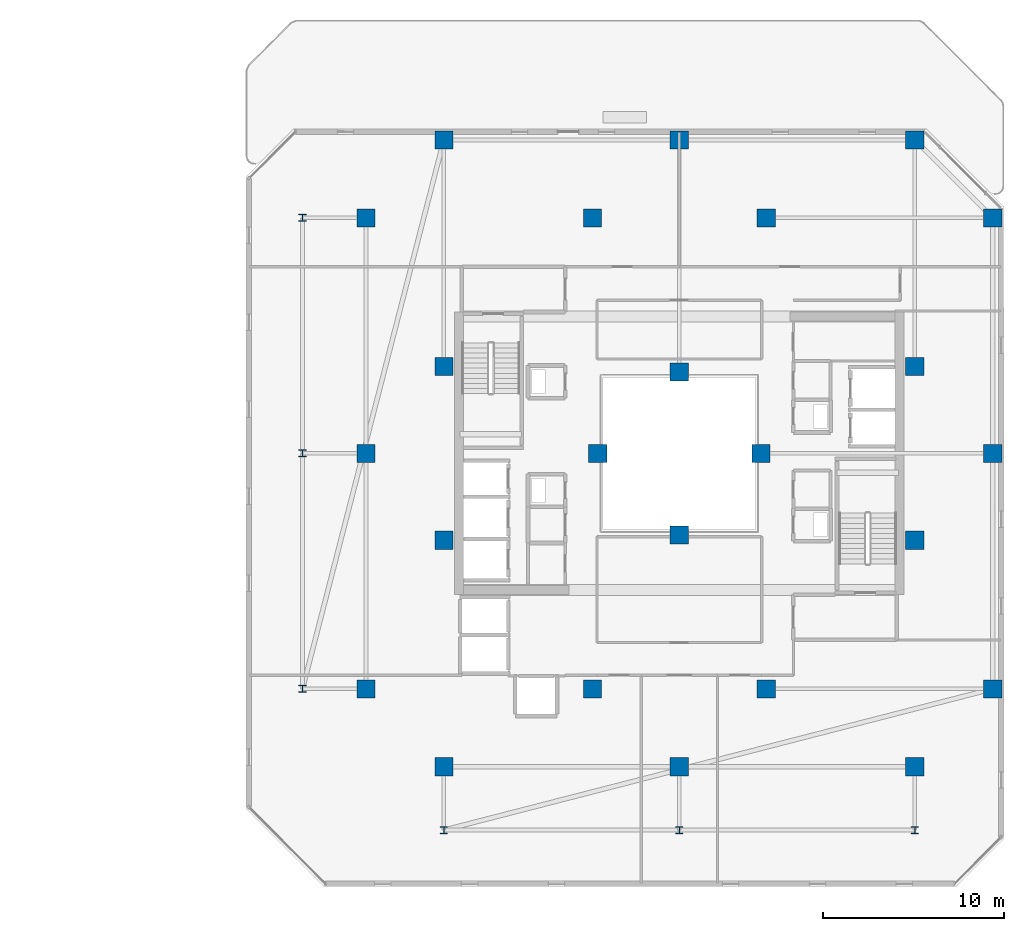
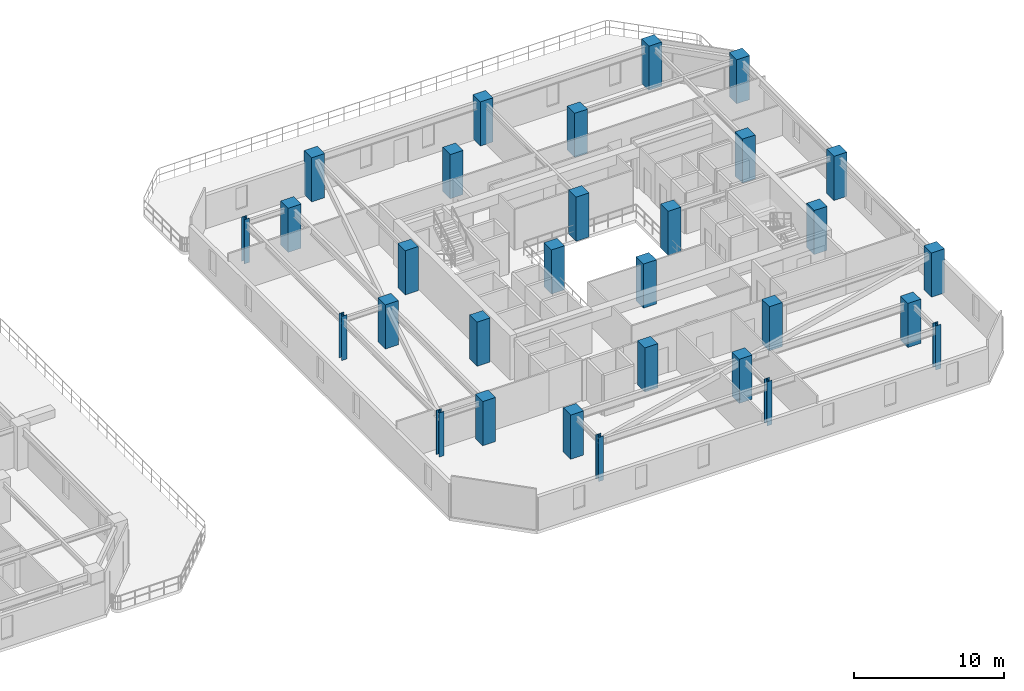
# One storey, part 2 of 32: 30 columns.
"""IFC4 building model written with IfcOpenShell, lengths in metres."""

from ifc_helpers import new_model, si_unit, direction, frame, origin, origin_2d, place, context, subcontext, project, spatial, rectangle, i_section, extrude, material, material_profile, profile_set, type_object, element, save


model = new_model("IFC4")

# Units and contexts
model_context = context("Model", 3, precision=1e-05, world=origin(), true_north=direction((0.0, 1.0)))
body_context = subcontext(model_context, "Body", "Model", "MODEL_VIEW")
ifc_project = project(units=[si_unit("LENGTHUNIT", "METRE"), si_unit("AREAUNIT", "SQUARE_METRE"), si_unit("VOLUMEUNIT", "CUBIC_METRE"), si_unit("PLANEANGLEUNIT", "RADIAN"), si_unit("MASSUNIT", "GRAM", prefix="KILO")], contexts=[model_context])

# Site, building, storey
site_placement = place(None, origin())
site = spatial("IfcSite", under=ifc_project, at=site_placement, CompositionType="ELEMENT")
building_placement = place(site_placement, origin())
building = spatial("IfcBuilding", under=site, at=building_placement, Name="Thornwick Lancets Civic Towers", CompositionType="ELEMENT")
storey_placement = place(building_placement, frame((0.0, 0.0, 200.10009765625)))
storey = spatial("IfcBuildingStorey", under=building, at=storey_placement, Name="L53", CompositionType="ELEMENT", Elevation=200.10009765625)

# Columns
ifc_material_1 = material(Name="Concrete C50/60", Category="concrete")
ifc_material_profile_1 = material_profile(ifc_material_1, rectangle(XDim=1.0, YDim=1.0, at=origin_2d()), Name="RC 1000x1000")
ifc_profile_set_1 = profile_set([ifc_material_profile_1], Name="Concrete C50/60")
column_type_1 = type_object("IfcColumnType", Name="COL_RC_1000", PredefinedType="COLUMN", material=ifc_profile_set_1)
for number, where, z_axis, x_axis, name in (
    (1, (105.800048828125, 14.0, 0.0), (0.0, 0.0, 1.0), (1.0, 0.0, 0.0), "L53 Spine Mega-Column B01"),
    (2, (105.800048828125, 27.0, 0.0), (0.0, 0.0, 1.0), (1.0, 0.0, 0.0), "L53 Spine Mega-Column B02"),
    (3, (105.800048828125, 40.0, 0.0), (0.0, 0.0, 1.0), (1.0, 0.0, 0.0), "L53 Spine Mega-Column B03"),
    (4, (101.5, 44.300048828125, 0.0), (0.0, 0.0, 1.0), (1.0, 0.0, 0.0), "L53 Spine Mega-Column B04"),
    (5, (88.5, 44.300048828125, 0.0), (0.0, 0.0, 1.0), (1.0, 0.0, 0.0), "L53 Spine Mega-Column B05"),
    (6, (75.5, 44.300048828125, 0.0), (0.0, 0.0, 1.0), (1.0, 0.0, 0.0), "L53 Spine Mega-Column B06"),
    (7, (71.199951171875, 14.0, 0.0), (0.0, 0.0, 1.0), (1.0, 0.0, 0.0), "L53 Spine Mega-Column B07"),
    (8, (71.199951171875, 27.0, 0.0), (0.0, 0.0, 1.0), (1.0, 0.0, 0.0), "L53 Spine Mega-Column B08"),
    (9, (71.199951171875, 40.0, 0.0), (0.0, 0.0, 1.0), (1.0, 0.0, 0.0), "L53 Spine Mega-Column B09"),
    (10, (101.5, 9.699951171875, 0.0), (0.0, 0.0, 1.0), (1.0, 0.0, 0.0), "L53 Spine Mega-Column B10"),
    (11, (88.5, 9.699951171875, 0.0), (0.0, 0.0, 1.0), (1.0, 0.0, 0.0), "L53 Spine Mega-Column B11"),
    (12, (75.5, 9.699951171875, 0.0), (0.0, 0.0, 1.0), (1.0, 0.0, 0.0), "L53 Spine Mega-Column B12"),
    (13, (93.300048828125, 14.0, 0.0), (0.0, 0.0, 1.0), (1.0, 0.0, 0.0), "L53 Spine Mega-Column B13"),
    (14, (93.300048828125, 40.0, 0.0), (0.0, 0.0, 1.0), (1.0, 0.0, 0.0), "L53 Spine Mega-Column B14"),
    (15, (83.699951171875, 14.0, 0.0), (0.0, 0.0, 1.0), (1.0, 0.0, 0.0), "L53 Spine Mega-Column B15"),
    (16, (83.699951171875, 40.0, 0.0), (0.0, 0.0, 1.0), (1.0, 0.0, 0.0), "L53 Spine Mega-Column B16"),
    (17, (101.5, 22.199951171875, 0.0), (0.0, 0.0, 1.0), (1.0, 0.0, 0.0), "L53 Spine Mega-Column B17"),
    (18, (101.5, 31.800048828125, 0.0), (0.0, 0.0, 1.0), (1.0, 0.0, 0.0), "L53 Spine Mega-Column B18"),
    (19, (75.5, 22.199951171875, 0.0), (0.0, 0.0, 1.0), (1.0, 0.0, 0.0), "L53 Spine Mega-Column B19"),
    (20, (75.5, 31.800048828125, 0.0), (0.0, 0.0, 1.0), (1.0, 0.0, 0.0), "L53 Spine Mega-Column B20"),
    (21, (93.0, 27.0, 0.0), (0.0, 0.0, 1.0), (1.0, 0.0, 0.0), "L53 Spine Mega-Column B21"),
    (22, (84.0, 27.0, 0.0), (0.0, 0.0, 1.0), (1.0, 0.0, 0.0), "L53 Spine Mega-Column B22"),
    (23, (88.5, 22.5, 0.0), (0.0, 0.0, 1.0), (1.0, 0.0, 0.0), "L53 Spine Mega-Column B23"),
    (24, (88.5, 31.5, 0.0), (0.0, 0.0, 1.0), (1.0, 0.0, 0.0), "L53 Spine Mega-Column B24"),
):
    element("IfcColumn", number, at=place(storey_placement, frame(where, z_axis=z_axis, x_axis=x_axis)), inside=storey, type_object=column_type_1, Name=name, PredefinedType="COLUMN", context=body_context, shape_type="SweptSolid", body=[
        extrude(rectangle(XDim=1.0, YDim=1.0, at=origin_2d()), origin(), (0.0, 0.0, 1.0), 3.599853515625),
    ])
ifc_material_2 = material(Name="Steel S355JR", Category="steel")
ifc_material_profile_2 = material_profile(ifc_material_2, i_section(OverallWidth=0.39892578125, OverallDepth=0.3935546875, WebThickness=0.022705078125, FlangeThickness=0.03662109375, FilletRadius=0.01513671875, at=origin_2d()), Name="UKC 356x406x287")
ifc_profile_set_2 = profile_set([ifc_material_profile_2], Name="Steel S355JR")
column_type_2 = type_object("IfcColumnType", Name="COL_UKC_287", PredefinedType="COLUMN", material=ifc_profile_set_2)
for number, where, z_axis, x_axis, name in (
    (25, (67.699951171875, 14.0, 0.0), (0.0, 0.0, 1.0), (1.0, 0.0, 0.0), "L53 Block Perimeter Column B07"),
    (26, (67.699951171875, 27.0, 0.0), (0.0, 0.0, 1.0), (1.0, 0.0, 0.0), "L53 Block Perimeter Column B08"),
    (27, (67.699951171875, 40.0, 0.0), (0.0, 0.0, 1.0), (1.0, 0.0, 0.0), "L53 Block Perimeter Column B09"),
    (28, (101.5, 6.199951171875, 0.0), (0.0, 0.0, 1.0), (1.0, 0.0, 0.0), "L53 Block Perimeter Column B10"),
    (29, (88.5, 6.199951171875, 0.0), (0.0, 0.0, 1.0), (1.0, 0.0, 0.0), "L53 Block Perimeter Column B11"),
    (30, (75.5, 6.199951171875, 0.0), (0.0, 0.0, 1.0), (1.0, 0.0, 0.0), "L53 Block Perimeter Column B12"),
):
    element("IfcColumn", number, at=place(storey_placement, frame(where, z_axis=z_axis, x_axis=x_axis)), inside=storey, type_object=column_type_2, Name=name, PredefinedType="COLUMN", context=body_context, shape_type="SweptSolid", body=[
        extrude(i_section(OverallWidth=0.39892578125, OverallDepth=0.3935546875, WebThickness=0.022705078125, FlangeThickness=0.03662109375, FilletRadius=0.01513671875, at=origin_2d()), origin(), (0.0, 0.0, 1.0), 3.599853515625),
    ])

save(model, "model.ifc")
